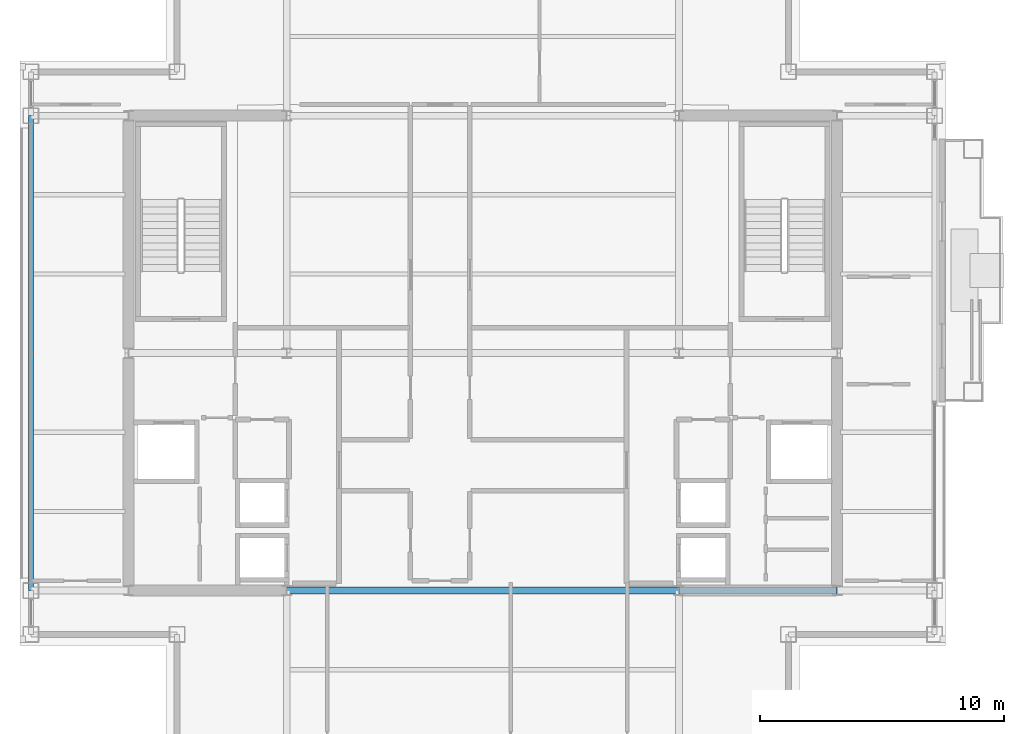
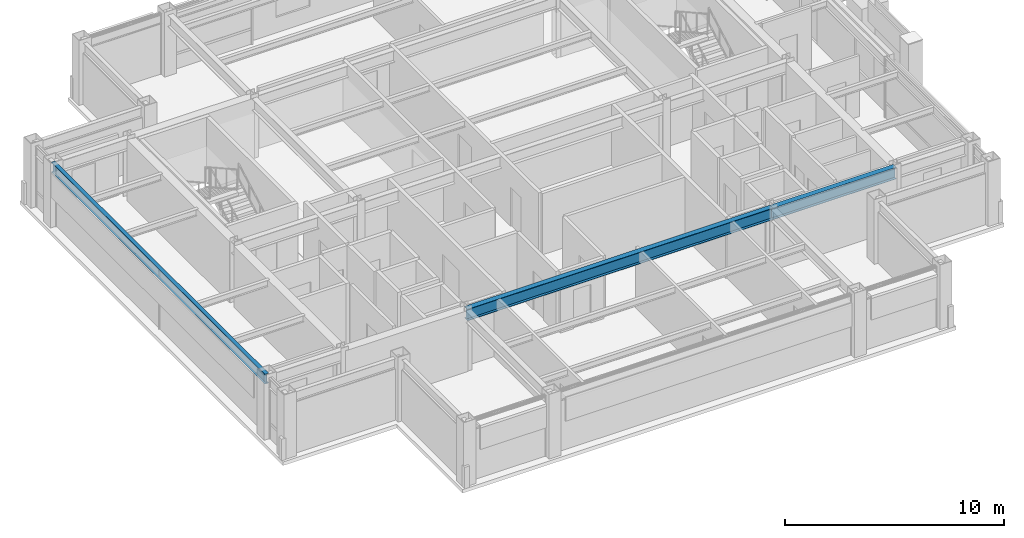
# One storey, part 6 of 24: 3 beams.
"""IFC4 building model written with IfcOpenShell, lengths in metres."""

from ifc_helpers import new_model, si_unit, direction, frame, origin, origin_2d, place, context, subcontext, project, spatial, i_section, extrude, material, material_profile, profile_set, type_object, element, save


model = new_model("IFC4")

# Units and contexts
model_context = context("Model", 3, precision=1e-05, world=origin(), true_north=direction((0.0, 1.0)))
body_context = subcontext(model_context, "Body", "Model", "MODEL_VIEW")
ifc_project = project(units=[si_unit("LENGTHUNIT", "METRE"), si_unit("AREAUNIT", "SQUARE_METRE"), si_unit("VOLUMEUNIT", "CUBIC_METRE"), si_unit("PLANEANGLEUNIT", "RADIAN"), si_unit("MASSUNIT", "GRAM", prefix="KILO")], contexts=[model_context])

# Site, building, storey
site_placement = place(None, origin())
site = spatial("IfcSite", under=ifc_project, at=site_placement, CompositionType="ELEMENT")
building_placement = place(site_placement, origin())
building = spatial("IfcBuilding", under=site, at=building_placement, Name="Brelmoor Portico Tower", CompositionType="ELEMENT")
storey_placement = place(building_placement, frame((0.0, 0.0, 229.199951171875)))
storey = spatial("IfcBuildingStorey", under=building, at=storey_placement, Name="L60", CompositionType="ELEMENT", Elevation=229.199951171875)

# Beams
ifc_material = material(Name="Steel Q355B", Category="steel")
ifc_material_profile_1 = material_profile(ifc_material, i_section(OverallWidth=0.280029296875, OverallDepth=0.64990234375, WebThickness=0.012939453125, FlangeThickness=0.02197265625, at=origin_2d()), Name="HN 650x280x13x22")
ifc_profile_set_1 = profile_set([ifc_material_profile_1], Name="Steel Q355B")
beam_type_1 = type_object("IfcBeamType", Name="BM-PG-650", PredefinedType="BEAM", material=ifc_profile_set_1)
beam_1_placement = place(storey_placement, frame((-8.050048828125, -9.75, 3.074951171875), z_axis=(1.0, 0.0, 0.0), x_axis=(0.0, 1.0, 0.0)))
element("IfcBeam", 1, at=beam_1_placement, inside=storey, type_object=beam_type_1, Name="L60 Primary Floor Girder PG-13", PredefinedType="BEAM", context=body_context, shape_type="SweptSolid", body=[
    extrude(i_section(OverallWidth=0.280029296875, OverallDepth=0.64990234375, WebThickness=0.012939453125, FlangeThickness=0.02197265625, at=origin_2d()), origin(), (0.0, 0.0, 1.0), 16.10009765625),
])
beam_2_placement = place(storey_placement, frame((8.050048828125, -9.75, 3.074951171875), z_axis=(1.0, 0.0, 0.0), x_axis=(0.0, 1.0, 0.0)))
element("IfcBeam", 2, at=beam_2_placement, inside=storey, type_object=beam_type_1, Name="L60 Primary Floor Girder PG-14", PredefinedType="BEAM", context=body_context, shape_type="SweptSolid", body=[
    extrude(i_section(OverallWidth=0.280029296875, OverallDepth=0.64990234375, WebThickness=0.012939453125, FlangeThickness=0.02197265625, at=origin_2d()), origin(), (0.0, 0.0, 1.0), 6.5),
])
ifc_material_profile_2 = material_profile(ifc_material, i_section(OverallWidth=0.199951171875, OverallDepth=0.550048828125, WebThickness=0.010009765625, FlangeThickness=0.01611328125, at=origin_2d()), Name="HN 550x200x10x16")
ifc_profile_set_2 = profile_set([ifc_material_profile_2], Name="Steel Q355B")
beam_type_2 = type_object("IfcBeamType", Name="BM-SP-550", PredefinedType="SPANDREL", material=ifc_profile_set_2)
beam_3_placement = place(storey_placement, frame((-18.550048828125, -9.75, 3.125), z_axis=(0.0, 1.0, 0.0), x_axis=(-1.0, 0.0, 0.0)))
element("IfcBeam", 3, at=beam_3_placement, inside=storey, type_object=beam_type_2, Name="L60 Perimeter Spandrel Beam SP-12", PredefinedType="SPANDREL", context=body_context, shape_type="SweptSolid", body=[
    extrude(i_section(OverallWidth=0.199951171875, OverallDepth=0.550048828125, WebThickness=0.010009765625, FlangeThickness=0.01611328125, at=origin_2d()), origin(), (0.0, 0.0, 1.0), 19.5),
])

save(model, "model.ifc")
